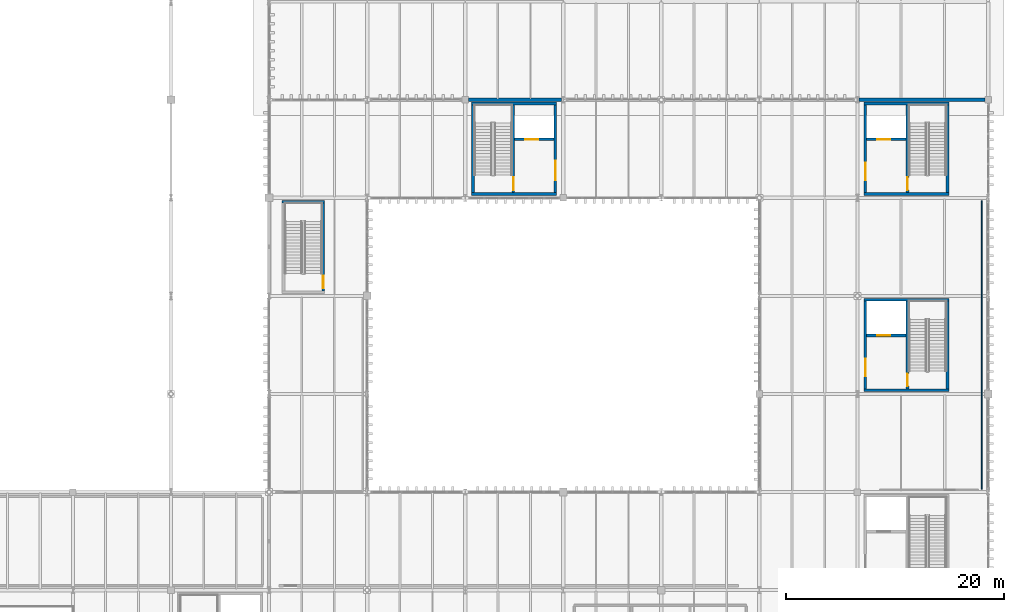
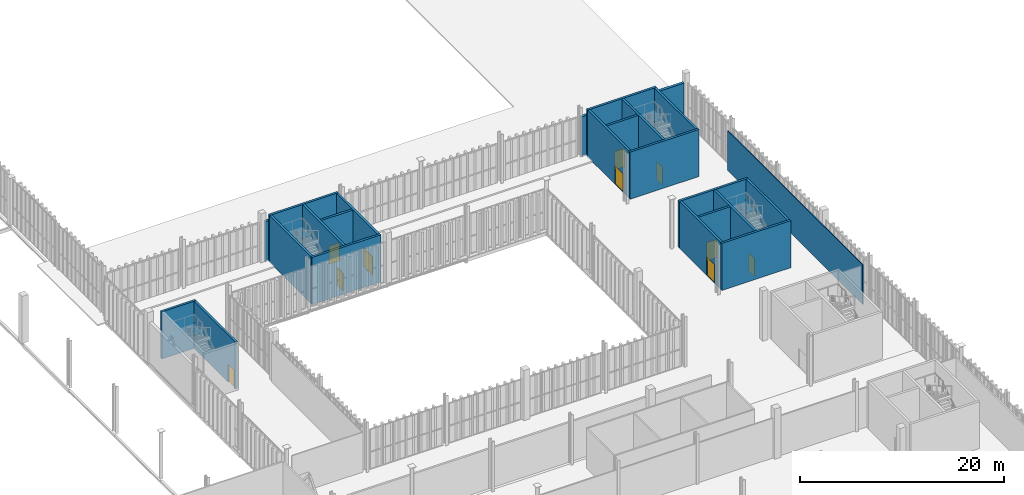
# One storey, part 211 of 237: 23 walls, 10 doors, 10 openings.
"""IFC4 building model written with IfcOpenShell, lengths in metres."""

from ifc_helpers import new_model, si_unit, direction, frame, frame_2d, origin, place, context, subcontext, project, spatial, rectangle, extrude, material, layer, layer_set, type_object, element, fill, save


model = new_model("IFC4")

# Units and contexts
model_context = context("Model", 3, precision=1e-05, world=origin(), true_north=direction((0.0, 1.0)))
body_context = subcontext(model_context, "Body", "Model", "MODEL_VIEW")
ifc_project = project(units=[si_unit("LENGTHUNIT", "METRE"), si_unit("AREAUNIT", "SQUARE_METRE"), si_unit("VOLUMEUNIT", "CUBIC_METRE"), si_unit("PLANEANGLEUNIT", "RADIAN"), si_unit("MASSUNIT", "GRAM", prefix="KILO")], contexts=[model_context])

# Site, building, storey
site_placement = place(None, origin())
site = spatial("IfcSite", under=ifc_project, at=site_placement, CompositionType="ELEMENT")
building_placement = place(site_placement, origin())
building = spatial("IfcBuilding", under=site, at=building_placement, Name="Barlavento Convention Centre", CompositionType="ELEMENT")
storey_placement = place(building_placement, frame((0.0, 0.0, 12.0)))
storey = spatial("IfcBuildingStorey", under=building, at=storey_placement, Name="L02", CompositionType="ELEMENT", Elevation=12.0)

# Walls
ifc_material_1 = material(Name="Glazed white architectural terracotta on Concrete C40/50", Category="masonry")
ifc_layer_1 = layer(ifc_material_1, 0.2900390625)
ifc_layer_set_1 = layer_set([ifc_layer_1], Name="ARC-WL-EXT-290")
wall_type_1 = type_object("IfcWallType", Name="ARC-WL-EXT-290", PredefinedType="SOLIDWALL", material=ifc_layer_set_1)
wall_1_placement = place(storey_placement, frame((144.294921875, 99.0, 0.0), z_axis=(0.0, 0.0, 1.0), x_axis=(1.0, 0.0, 0.0)))
element("IfcWall", 1, at=wall_1_placement, inside=storey, type_object=wall_type_1, Name="L02 exterior wall EW02", PredefinedType="SOLIDWALL", context=body_context, shape_type="SweptSolid", body=[
    extrude(rectangle(XDim=8.55712890625, YDim=0.2900390625, at=frame_2d((4.278564453125, 0.0))), origin(), (0.0, 0.0, 1.0), 4.800048828125),
])
wall_2_placement = place(storey_placement, frame((180.14794921875, 99.0, 0.0), z_axis=(0.0, 0.0, 1.0), x_axis=(1.0, 0.0, 0.0)))
element("IfcWall", 2, at=wall_2_placement, inside=storey, type_object=wall_type_1, Name="L02 exterior wall EW02", PredefinedType="SOLIDWALL", context=body_context, shape_type="SweptSolid", body=[
    extrude(rectangle(XDim=11.55712890625, YDim=0.2900390625, at=frame_2d((5.778564453125, 0.0))), origin(), (0.0, 0.0, 1.0), 4.800048828125),
])
ifc_material_2 = material(Name="Glazed office partition", Category="glass")
ifc_layer_2 = layer(ifc_material_2, 0.094970703125)
ifc_layer_set_2 = layer_set([ifc_layer_2], Name="ARC-WL-PART-095")
wall_type_2 = type_object("IfcWallType", Name="ARC-WL-PART-095", PredefinedType="PARTITIONING", material=ifc_layer_set_2)
wall_3_placement = place(storey_placement, frame((191.39990234375, 63.257080078125, 0.0), z_axis=(0.0, 0.0, 1.0), x_axis=(0.0, 1.0, 0.0)))
element("IfcWall", 3, at=wall_3_placement, inside=storey, type_object=wall_type_2, Name="L02 interior wall PT-07", PredefinedType="PARTITIONING", context=body_context, shape_type="SweptSolid", body=[
    extrude(rectangle(XDim=26.48583984375, YDim=0.094970703125, at=frame_2d((13.242919921875, 0.0))), origin(), (0.0, 0.0, 1.0), 4.75),
])

# Wall, opening, door
ifc_material_3 = material(Name="Concrete C50/60", Category="concrete")
ifc_layer_3 = layer(ifc_material_3, 0.25)
ifc_layer_set_3 = layer_set([ifc_layer_3], Name="STR-WL-CORE-250")
wall_type_3 = type_object("IfcWallType", Name="STR-WL-CORE-250", PredefinedType="SHEAR", material=ifc_layer_set_3)
wall_4_placement = place(storey_placement, frame((180.72509765625, 72.469970703125, 0.0), z_axis=(0.0, 0.0, 1.0), x_axis=(0.0, 1.0, 0.0)))
wall_4 = element("IfcWall", 4, at=wall_4_placement, inside=storey, type_object=wall_type_3, Name="L02 interior wall CW-02", PredefinedType="SHEAR", context=body_context, shape_type="SweptSolid", body=[
    extrude(rectangle(XDim=8.06005859375, YDim=0.25, at=frame_2d((4.030029296875, 0.0))), origin(), (0.0, 0.0, 1.0), 5.639892578125),
])
opening_1_placement = place(wall_4_placement, frame((1.14990234375, 0.0, 0.0)))
opening_1 = element("IfcOpeningElement", 5, at=opening_1_placement, cuts=wall_4, Name="Opening FD-02", PredefinedType="OPENING", context=body_context, shape_type="SweptSolid", body=[
    extrude(rectangle(XDim=1.60009765625, YDim=2.199951171875, at=frame_2d((0.800048828125, 1.10009765625))), frame((0.0, 0.135009765625, 0.0), z_axis=(0.0, -1.0, 0.0), x_axis=(1.0, 0.0, 0.0)), (0.0, 0.0, 1.0), 0.27001953125),
])
ifc_material_4 = material(Name="Painted galvanized steel", Category="steel")
door_type_1 = type_object("IfcDoorType", Name="ARC-DR-FIRE-1600X2200", OperationType="DOUBLE_DOOR_SINGLE_SWING", PredefinedType="DOOR", material=ifc_material_4)
door_1_placement = place(opening_1_placement, origin())
door_1 = element("IfcDoor", 6, at=door_1_placement, inside=storey, type_object=door_type_1, Name="DR-INT-L02-0108 L02 LP5 lobby fire door", OperationType="DOUBLE_DOOR_SINGLE_SWING", OverallHeight=2.199951171875, OverallWidth=1.60009765625, PredefinedType="DOOR", context=body_context, shape_type="SweptSolid", body=[
    extrude(rectangle(XDim=1.60009765625, YDim=2.199951171875, at=frame_2d((0.800048828125, 1.10009765625))), frame((0.0, 0.02490234375, 0.0), z_axis=(0.0, -1.0, 0.0), x_axis=(1.0, 0.0, 0.0)), (0.0, 0.0, 1.0), 0.050048828125),
])
fill(opening_1, door_1)

# Walls
wall_5_placement = place(storey_placement, frame((188.27490234375, 72.469970703125, 0.0), z_axis=(0.0, 0.0, 1.0), x_axis=(0.0, 1.0, 0.0)))
element("IfcWall", 7, at=wall_5_placement, inside=storey, type_object=wall_type_3, Name="L02 interior wall CW-02", PredefinedType="SHEAR", context=body_context, shape_type="SweptSolid", body=[
    extrude(rectangle(XDim=8.06005859375, YDim=0.25, at=frame_2d((4.030029296875, 0.0))), origin(), (0.0, 0.0, 1.0), 5.639892578125),
])
for number, where, z_axis, x_axis, name in (
    (8, (180.60009765625, 72.344970703125, 0.0), (0.0, 0.0, 1.0), (1.0, 0.0, 0.0), "L02 interior wall CW-02"),
    (9, (180.60009765625, 80.655029296875, 0.0), (0.0, 0.0, 1.0), (1.0, 0.0, 0.0), "L02 interior wall CW-02"),
):
    element("IfcWall", number, at=place(storey_placement, frame(where, z_axis=z_axis, x_axis=x_axis)), inside=storey, type_object=wall_type_3, Name=name, PredefinedType="SHEAR", context=body_context, shape_type="SweptSolid", body=[
        extrude(rectangle(XDim=7.7998046875, YDim=0.25, at=frame_2d((3.89990234375, 0.0))), origin(), (0.0, 0.0, 1.0), 5.639892578125),
    ])

# Wall, opening, door
wall_6_placement = place(storey_placement, frame((184.5849609375, 72.469970703125, 0.0), z_axis=(0.0, 0.0, 1.0), x_axis=(0.0, 1.0, 0.0)))
wall_6 = element("IfcWall", 10, at=wall_6_placement, inside=storey, type_object=wall_type_3, Name="L02 interior wall CW-02", PredefinedType="SHEAR", context=body_context, shape_type="SweptSolid", body=[
    extrude(rectangle(XDim=8.06005859375, YDim=0.25, at=frame_2d((4.030029296875, 0.0))), origin(), (0.0, 0.0, 1.0), 5.639892578125),
])
opening_2_placement = place(wall_6_placement, frame((0.25, 0.0, 0.0)))
opening_2 = element("IfcOpeningElement", 11, at=opening_2_placement, cuts=wall_6, Name="Opening FD-03", PredefinedType="OPENING", context=body_context, shape_type="SweptSolid", body=[
    extrude(rectangle(XDim=1.14990234375, YDim=2.14990234375, at=frame_2d((0.574951171875, 1.074951171875))), frame((0.0, 0.135009765625, 0.0), z_axis=(0.0, -1.0, 0.0), x_axis=(1.0, 0.0, 0.0)), (0.0, 0.0, 1.0), 0.27001953125),
])
door_type_2 = type_object("IfcDoorType", Name="ARC-DR-FIRE-1150X2150", OperationType="NOTDEFINED", PredefinedType="DOOR", material=ifc_material_4)
door_2_placement = place(opening_2_placement, origin())
door_2 = element("IfcDoor", 12, at=door_2_placement, inside=storey, type_object=door_type_2, Name="DR-INT-L02-0106 L02 ST07 stair fire door FD-03", OperationType="SINGLE_SWING_RIGHT", OverallHeight=2.14990234375, OverallWidth=1.14990234375, PredefinedType="DOOR", context=body_context, shape_type="SweptSolid", body=[
    extrude(rectangle(XDim=1.14990234375, YDim=2.14990234375, at=frame_2d((0.574951171875, 1.074951171875))), frame((0.0, 0.02490234375, 0.0), z_axis=(0.0, -1.0, 0.0), x_axis=(1.0, 0.0, 0.0)), (0.0, 0.0, 1.0), 0.050048828125),
])
fill(opening_2, door_2)

wall_7_placement = place(storey_placement, frame((180.85009765625, 77.3701171875, 0.0), z_axis=(0.0, 0.0, 1.0), x_axis=(1.0, 0.0, 0.0)))
wall_7 = element("IfcWall", 13, at=wall_7_placement, inside=storey, type_object=wall_type_3, Name="L02 interior wall CW-02", PredefinedType="SHEAR", context=body_context, shape_type="SweptSolid", body=[
    extrude(rectangle(XDim=3.60986328125, YDim=0.25, at=frame_2d((1.804931640625, 0.0))), origin(), (0.0, 0.0, 1.0), 5.639892578125),
])
opening_3_placement = place(wall_7_placement, frame((0.949951171875, 0.0, 0.0)))
opening_3 = element("IfcOpeningElement", 14, at=opening_3_placement, cuts=wall_7, Name="Opening LD-01", PredefinedType="OPENING", context=body_context, shape_type="SweptSolid", body=[
    extrude(rectangle(XDim=1.199951171875, YDim=2.199951171875, at=frame_2d((0.60009765625, 1.10009765625))), frame((0.0, 0.135009765625, 0.0), z_axis=(0.0, -1.0, 0.0), x_axis=(1.0, 0.0, 0.0)), (0.0, 0.0, 1.0), 0.27001953125),
])
ifc_material_5 = material(Name="Brushed stainless steel", Category="steel")
door_type_3 = type_object("IfcDoorType", Name="ARC-DR-LIFT-1200X2200", OperationType="DOUBLE_DOOR_SLIDING", PredefinedType="DOOR", material=ifc_material_5)
door_3_placement = place(opening_3_placement, origin())
door_3 = element("IfcDoor", 15, at=door_3_placement, inside=storey, type_object=door_type_3, Name="DR-INT-L02-0107 LP5 lift sliding landing door", OperationType="DOUBLE_DOOR_SLIDING", OverallHeight=2.199951171875, OverallWidth=1.199951171875, PredefinedType="DOOR", context=body_context, shape_type="SweptSolid", body=[
    extrude(rectangle(XDim=1.199951171875, YDim=2.199951171875, at=frame_2d((0.60009765625, 1.10009765625))), frame((0.0, 0.02490234375, 0.0), z_axis=(0.0, -1.0, 0.0), x_axis=(1.0, 0.0, 0.0)), (0.0, 0.0, 1.0), 0.050048828125),
])
fill(opening_3, door_3)

wall_8_placement = place(storey_placement, frame((180.72509765625, 90.469970703125, 0.0), z_axis=(0.0, 0.0, 1.0), x_axis=(0.0, 1.0, 0.0)))
wall_8 = element("IfcWall", 16, at=wall_8_placement, inside=storey, type_object=wall_type_3, Name="L02 interior wall CW-02", PredefinedType="SHEAR", context=body_context, shape_type="SweptSolid", body=[
    extrude(rectangle(XDim=8.06005859375, YDim=0.25, at=frame_2d((4.030029296875, 0.0))), origin(), (0.0, 0.0, 1.0), 5.639892578125),
])
opening_4_placement = place(wall_8_placement, frame((1.14990234375, 0.0, 0.0)))
opening_4 = element("IfcOpeningElement", 17, at=opening_4_placement, cuts=wall_8, Name="Opening FD-02", PredefinedType="OPENING", context=body_context, shape_type="SweptSolid", body=[
    extrude(rectangle(XDim=1.60009765625, YDim=2.199951171875, at=frame_2d((0.800048828125, 1.10009765625))), frame((0.0, 0.135009765625, 0.0), z_axis=(0.0, -1.0, 0.0), x_axis=(1.0, 0.0, 0.0)), (0.0, 0.0, 1.0), 0.27001953125),
])
door_4_placement = place(opening_4_placement, origin())
door_4 = element("IfcDoor", 18, at=door_4_placement, inside=storey, type_object=door_type_1, Name="DR-INT-L02-0129 L02 LP6 lobby fire door", OperationType="DOUBLE_DOOR_SINGLE_SWING", OverallHeight=2.199951171875, OverallWidth=1.60009765625, PredefinedType="DOOR", context=body_context, shape_type="SweptSolid", body=[
    extrude(rectangle(XDim=1.60009765625, YDim=2.199951171875, at=frame_2d((0.800048828125, 1.10009765625))), frame((0.0, 0.02490234375, 0.0), z_axis=(0.0, -1.0, 0.0), x_axis=(1.0, 0.0, 0.0)), (0.0, 0.0, 1.0), 0.050048828125),
])
fill(opening_4, door_4)

# Walls
wall_9_placement = place(storey_placement, frame((188.27490234375, 90.469970703125, 0.0), z_axis=(0.0, 0.0, 1.0), x_axis=(0.0, 1.0, 0.0)))
element("IfcWall", 19, at=wall_9_placement, inside=storey, type_object=wall_type_3, Name="L02 interior wall CW-02", PredefinedType="SHEAR", context=body_context, shape_type="SweptSolid", body=[
    extrude(rectangle(XDim=8.06005859375, YDim=0.25, at=frame_2d((4.030029296875, 0.0))), origin(), (0.0, 0.0, 1.0), 5.639892578125),
])
for number, where, z_axis, x_axis, name in (
    (20, (180.60009765625, 90.344970703125, 0.0), (0.0, 0.0, 1.0), (1.0, 0.0, 0.0), "L02 interior wall CW-02"),
    (21, (180.60009765625, 98.655029296875, 0.0), (0.0, 0.0, 1.0), (1.0, 0.0, 0.0), "L02 interior wall CW-02"),
):
    element("IfcWall", number, at=place(storey_placement, frame(where, z_axis=z_axis, x_axis=x_axis)), inside=storey, type_object=wall_type_3, Name=name, PredefinedType="SHEAR", context=body_context, shape_type="SweptSolid", body=[
        extrude(rectangle(XDim=7.7998046875, YDim=0.25, at=frame_2d((3.89990234375, 0.0))), origin(), (0.0, 0.0, 1.0), 5.639892578125),
    ])

# Wall, opening, door
wall_10_placement = place(storey_placement, frame((184.5849609375, 90.469970703125, 0.0), z_axis=(0.0, 0.0, 1.0), x_axis=(0.0, 1.0, 0.0)))
wall_10 = element("IfcWall", 22, at=wall_10_placement, inside=storey, type_object=wall_type_3, Name="L02 interior wall CW-02", PredefinedType="SHEAR", context=body_context, shape_type="SweptSolid", body=[
    extrude(rectangle(XDim=8.06005859375, YDim=0.25, at=frame_2d((4.030029296875, 0.0))), origin(), (0.0, 0.0, 1.0), 5.639892578125),
])
opening_5_placement = place(wall_10_placement, frame((0.25, 0.0, 0.0)))
opening_5 = element("IfcOpeningElement", 23, at=opening_5_placement, cuts=wall_10, Name="Opening FD-03", PredefinedType="OPENING", context=body_context, shape_type="SweptSolid", body=[
    extrude(rectangle(XDim=1.14990234375, YDim=2.14990234375, at=frame_2d((0.574951171875, 1.074951171875))), frame((0.0, 0.135009765625, 0.0), z_axis=(0.0, -1.0, 0.0), x_axis=(1.0, 0.0, 0.0)), (0.0, 0.0, 1.0), 0.27001953125),
])
door_5_placement = place(opening_5_placement, origin())
door_5 = element("IfcDoor", 24, at=door_5_placement, inside=storey, type_object=door_type_2, Name="DR-INT-L02-0127 L02 ST08 stair fire door FD-03", OperationType="SINGLE_SWING_LEFT", OverallHeight=2.14990234375, OverallWidth=1.14990234375, PredefinedType="DOOR", context=body_context, shape_type="SweptSolid", body=[
    extrude(rectangle(XDim=1.14990234375, YDim=2.14990234375, at=frame_2d((0.574951171875, 1.074951171875))), frame((0.0, 0.02490234375, 0.0), z_axis=(0.0, -1.0, 0.0), x_axis=(1.0, 0.0, 0.0)), (0.0, 0.0, 1.0), 0.050048828125),
])
fill(opening_5, door_5)

wall_11_placement = place(storey_placement, frame((180.85009765625, 95.3701171875, 0.0), z_axis=(0.0, 0.0, 1.0), x_axis=(1.0, 0.0, 0.0)))
wall_11 = element("IfcWall", 25, at=wall_11_placement, inside=storey, type_object=wall_type_3, Name="L02 interior wall CW-02", PredefinedType="SHEAR", context=body_context, shape_type="SweptSolid", body=[
    extrude(rectangle(XDim=3.60986328125, YDim=0.25, at=frame_2d((1.804931640625, 0.0))), origin(), (0.0, 0.0, 1.0), 5.639892578125),
])
opening_6_placement = place(wall_11_placement, frame((0.949951171875, 0.0, 0.0)))
opening_6 = element("IfcOpeningElement", 26, at=opening_6_placement, cuts=wall_11, Name="Opening LD-01", PredefinedType="OPENING", context=body_context, shape_type="SweptSolid", body=[
    extrude(rectangle(XDim=1.199951171875, YDim=2.199951171875, at=frame_2d((0.60009765625, 1.10009765625))), frame((0.0, 0.135009765625, 0.0), z_axis=(0.0, -1.0, 0.0), x_axis=(1.0, 0.0, 0.0)), (0.0, 0.0, 1.0), 0.27001953125),
])
door_6_placement = place(opening_6_placement, origin())
door_6 = element("IfcDoor", 27, at=door_6_placement, inside=storey, type_object=door_type_3, Name="DR-INT-L02-0128 LP6 lift sliding landing door", OperationType="DOUBLE_DOOR_SLIDING", OverallHeight=2.199951171875, OverallWidth=1.199951171875, PredefinedType="DOOR", context=body_context, shape_type="SweptSolid", body=[
    extrude(rectangle(XDim=1.199951171875, YDim=2.199951171875, at=frame_2d((0.60009765625, 1.10009765625))), frame((0.0, 0.02490234375, 0.0), z_axis=(0.0, -1.0, 0.0), x_axis=(1.0, 0.0, 0.0)), (0.0, 0.0, 1.0), 0.050048828125),
])
fill(opening_6, door_6)

# Wall
wall_12_placement = place(storey_placement, frame((144.72509765625, 90.469970703125, 0.0), z_axis=(0.0, 0.0, 1.0), x_axis=(0.0, 1.0, 0.0)))
element("IfcWall", 28, at=wall_12_placement, inside=storey, type_object=wall_type_3, Name="L02 interior wall CW-02", PredefinedType="SHEAR", context=body_context, shape_type="SweptSolid", body=[
    extrude(rectangle(XDim=8.06005859375, YDim=0.25, at=frame_2d((4.030029296875, 0.0))), origin(), (0.0, 0.0, 1.0), 5.639892578125),
])

# Wall, opening, door
wall_13_placement = place(storey_placement, frame((152.27490234375, 90.469970703125, 0.0), z_axis=(0.0, 0.0, 1.0), x_axis=(0.0, 1.0, 0.0)))
wall_13 = element("IfcWall", 29, at=wall_13_placement, inside=storey, type_object=wall_type_3, Name="L02 interior wall CW-02", PredefinedType="SHEAR", context=body_context, shape_type="SweptSolid", body=[
    extrude(rectangle(XDim=8.06005859375, YDim=0.25, at=frame_2d((4.030029296875, 0.0))), origin(), (0.0, 0.0, 1.0), 5.639892578125),
])
opening_7_placement = place(wall_13_placement, frame((1.14990234375, 0.0, 0.0)))
opening_7 = element("IfcOpeningElement", 30, at=opening_7_placement, cuts=wall_13, Name="Opening FD-01", PredefinedType="OPENING", context=body_context, shape_type="SweptSolid", body=[
    extrude(rectangle(XDim=1.800048828125, YDim=2.199951171875, at=frame_2d((0.89990234375, 1.10009765625))), frame((0.0, 0.135009765625, 0.0), z_axis=(0.0, -1.0, 0.0), x_axis=(1.0, 0.0, 0.0)), (0.0, 0.0, 1.0), 0.27001953125),
])
door_type_4 = type_object("IfcDoorType", Name="ARC-DR-FIRE-1800X2200", OperationType="DOUBLE_DOOR_SINGLE_SWING", PredefinedType="DOOR", material=ifc_material_4)
door_7_placement = place(opening_7_placement, origin())
door_7 = element("IfcDoor", 31, at=door_7_placement, inside=storey, type_object=door_type_4, Name="DR-INT-L02-0150 L02 FL1 lobby fire door", OperationType="DOUBLE_DOOR_SINGLE_SWING", OverallHeight=2.199951171875, OverallWidth=1.800048828125, PredefinedType="DOOR", context=body_context, shape_type="SweptSolid", body=[
    extrude(rectangle(XDim=1.800048828125, YDim=2.199951171875, at=frame_2d((0.89990234375, 1.10009765625))), frame((0.0, 0.02490234375, 0.0), z_axis=(0.0, -1.0, 0.0), x_axis=(1.0, 0.0, 0.0)), (0.0, 0.0, 1.0), 0.050048828125),
])
fill(opening_7, door_7)

# Walls
for number, where, z_axis, x_axis, name in (
    (32, (144.60009765625, 90.344970703125, 0.0), (0.0, 0.0, 1.0), (1.0, 0.0, 0.0), "L02 interior wall CW-02"),
    (33, (144.60009765625, 98.655029296875, 0.0), (0.0, 0.0, 1.0), (1.0, 0.0, 0.0), "L02 interior wall CW-02"),
):
    element("IfcWall", number, at=place(storey_placement, frame(where, z_axis=z_axis, x_axis=x_axis)), inside=storey, type_object=wall_type_3, Name=name, PredefinedType="SHEAR", context=body_context, shape_type="SweptSolid", body=[
        extrude(rectangle(XDim=7.7998046875, YDim=0.25, at=frame_2d((3.89990234375, 0.0))), origin(), (0.0, 0.0, 1.0), 5.639892578125),
    ])

# Wall, opening, door
wall_14_placement = place(storey_placement, frame((148.4150390625, 90.469970703125, 0.0), z_axis=(0.0, 0.0, 1.0), x_axis=(0.0, 1.0, 0.0)))
wall_14 = element("IfcWall", 34, at=wall_14_placement, inside=storey, type_object=wall_type_3, Name="L02 interior wall CW-02", PredefinedType="SHEAR", context=body_context, shape_type="SweptSolid", body=[
    extrude(rectangle(XDim=8.06005859375, YDim=0.25, at=frame_2d((4.030029296875, 0.0))), origin(), (0.0, 0.0, 1.0), 5.639892578125),
])
opening_8_placement = place(wall_14_placement, frame((0.25, 0.0, 0.0)))
opening_8 = element("IfcOpeningElement", 35, at=opening_8_placement, cuts=wall_14, Name="Opening FD-03", PredefinedType="OPENING", context=body_context, shape_type="SweptSolid", body=[
    extrude(rectangle(XDim=1.14990234375, YDim=2.14990234375, at=frame_2d((0.574951171875, 1.074951171875))), frame((0.0, 0.135009765625, 0.0), z_axis=(0.0, -1.0, 0.0), x_axis=(1.0, 0.0, 0.0)), (0.0, 0.0, 1.0), 0.27001953125),
])
door_8_placement = place(opening_8_placement, origin())
door_8 = element("IfcDoor", 36, at=door_8_placement, inside=storey, type_object=door_type_2, Name="DR-INT-L02-0148 L02 ST09 stair fire door FD-03", OperationType="SINGLE_SWING_RIGHT", OverallHeight=2.14990234375, OverallWidth=1.14990234375, PredefinedType="DOOR", context=body_context, shape_type="SweptSolid", body=[
    extrude(rectangle(XDim=1.14990234375, YDim=2.14990234375, at=frame_2d((0.574951171875, 1.074951171875))), frame((0.0, 0.02490234375, 0.0), z_axis=(0.0, -1.0, 0.0), x_axis=(1.0, 0.0, 0.0)), (0.0, 0.0, 1.0), 0.050048828125),
])
fill(opening_8, door_8)

wall_15_placement = place(storey_placement, frame((148.5400390625, 95.3701171875, 0.0), z_axis=(0.0, 0.0, 1.0), x_axis=(1.0, 0.0, 0.0)))
wall_15 = element("IfcWall", 37, at=wall_15_placement, inside=storey, type_object=wall_type_3, Name="L02 interior wall CW-02", PredefinedType="SHEAR", context=body_context, shape_type="SweptSolid", body=[
    extrude(rectangle(XDim=3.60986328125, YDim=0.25, at=frame_2d((1.804931640625, 0.0))), origin(), (0.0, 0.0, 1.0), 5.639892578125),
])
opening_9_placement = place(wall_15_placement, frame((0.949951171875, 0.0, 0.0)))
opening_9 = element("IfcOpeningElement", 38, at=opening_9_placement, cuts=wall_15, Name="Opening LD-01", PredefinedType="OPENING", context=body_context, shape_type="SweptSolid", body=[
    extrude(rectangle(XDim=1.199951171875, YDim=2.199951171875, at=frame_2d((0.60009765625, 1.10009765625))), frame((0.0, 0.135009765625, 0.0), z_axis=(0.0, -1.0, 0.0), x_axis=(1.0, 0.0, 0.0)), (0.0, 0.0, 1.0), 0.27001953125),
])
door_9_placement = place(opening_9_placement, origin())
door_9 = element("IfcDoor", 39, at=door_9_placement, inside=storey, type_object=door_type_3, Name="DR-INT-L02-0149 FL1 lift sliding landing door", OperationType="DOUBLE_DOOR_SLIDING", OverallHeight=2.199951171875, OverallWidth=1.199951171875, PredefinedType="DOOR", context=body_context, shape_type="SweptSolid", body=[
    extrude(rectangle(XDim=1.199951171875, YDim=2.199951171875, at=frame_2d((0.60009765625, 1.10009765625))), frame((0.0, 0.02490234375, 0.0), z_axis=(0.0, -1.0, 0.0), x_axis=(1.0, 0.0, 0.0)), (0.0, 0.0, 1.0), 0.050048828125),
])
fill(opening_9, door_9)

wall_16_placement = place(storey_placement, frame((130.97509765625, 81.469970703125, 0.0), z_axis=(0.0, 0.0, 1.0), x_axis=(0.0, 1.0, 0.0)))
wall_16 = element("IfcWall", 40, at=wall_16_placement, inside=storey, type_object=wall_type_3, Name="L02 interior wall CW-02", PredefinedType="SHEAR", context=body_context, shape_type="SweptSolid", body=[
    extrude(rectangle(XDim=8.06005859375, YDim=0.25, at=frame_2d((4.030029296875, 0.0))), origin(), (0.0, 0.0, 1.0), 5.639892578125),
])
opening_10_placement = place(wall_16_placement, frame((0.25, 0.0, 0.0)))
opening_10 = element("IfcOpeningElement", 41, at=opening_10_placement, cuts=wall_16, Name="Opening FD-03", PredefinedType="OPENING", context=body_context, shape_type="SweptSolid", body=[
    extrude(rectangle(XDim=1.14990234375, YDim=2.14990234375, at=frame_2d((0.574951171875, 1.074951171875))), frame((0.0, 0.135009765625, 0.0), z_axis=(0.0, -1.0, 0.0), x_axis=(1.0, 0.0, 0.0)), (0.0, 0.0, 1.0), 0.27001953125),
])
door_10_placement = place(opening_10_placement, origin())
door_10 = element("IfcDoor", 42, at=door_10_placement, inside=storey, type_object=door_type_2, Name="DR-INT-L02-0173 L02 ST12 stair fire door FD-03", OperationType="SINGLE_SWING_LEFT", OverallHeight=2.14990234375, OverallWidth=1.14990234375, PredefinedType="DOOR", context=body_context, shape_type="SweptSolid", body=[
    extrude(rectangle(XDim=1.14990234375, YDim=2.14990234375, at=frame_2d((0.574951171875, 1.074951171875))), frame((0.0, 0.02490234375, 0.0), z_axis=(0.0, -1.0, 0.0), x_axis=(1.0, 0.0, 0.0)), (0.0, 0.0, 1.0), 0.050048828125),
])
fill(opening_10, door_10)

# Wall
wall_17_placement = place(storey_placement, frame((127.199951171875, 89.655029296875, 0.0), z_axis=(0.0, 0.0, 1.0), x_axis=(1.0, 0.0, 0.0)))
element("IfcWall", 43, at=wall_17_placement, inside=storey, type_object=wall_type_3, Name="L02 interior wall CW-02", PredefinedType="SHEAR", context=body_context, shape_type="SweptSolid", body=[
    extrude(rectangle(XDim=3.900146484375, YDim=0.25, at=frame_2d((1.9501953125, 0.0))), origin(), (0.0, 0.0, 1.0), 5.639892578125),
])

save(model, "model.ifc")
